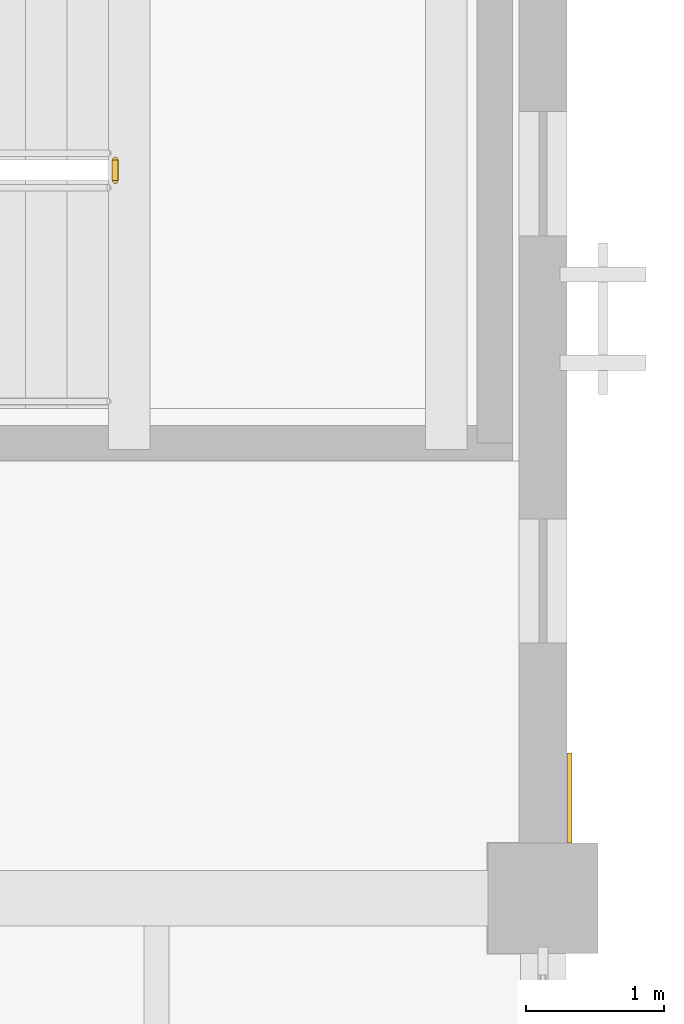
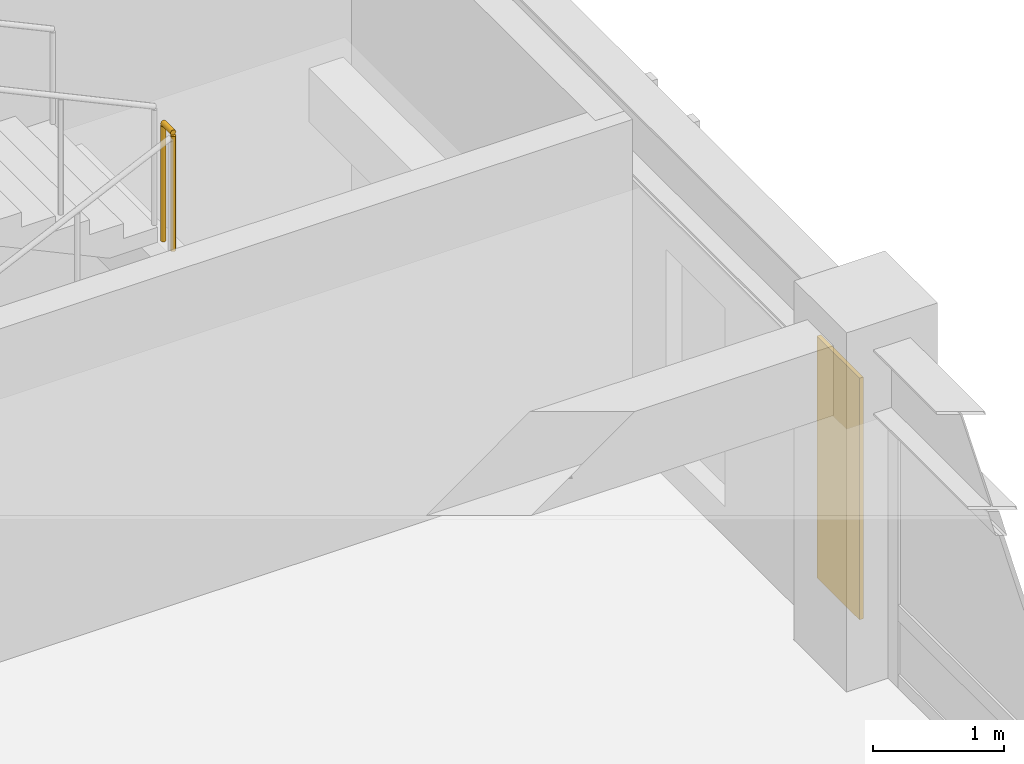
# One storey, part 105 of 111: 1 covering, 1 railing.
"""IFC4 building model written with IfcOpenShell, lengths in metres."""

from ifc_helpers import new_model, si_unit, direction, frame, origin, origin_2d, place, context, subcontext, project, spatial, polyline, circle, outline, extrude, material, layer, layer_set, type_object, element, save


model = new_model("IFC4")

# Units and contexts
model_context = context("Model", 3, precision=1e-05, world=origin(), true_north=direction((0.0, 1.0)))
body_context = subcontext(model_context, "Body", "Model", "MODEL_VIEW")
ifc_project = project(units=[si_unit("LENGTHUNIT", "METRE"), si_unit("AREAUNIT", "SQUARE_METRE"), si_unit("VOLUMEUNIT", "CUBIC_METRE"), si_unit("PLANEANGLEUNIT", "RADIAN"), si_unit("MASSUNIT", "GRAM", prefix="KILO")], contexts=[model_context])

# Site, building, storey
site_placement = place(None, origin())
site = spatial("IfcSite", under=ifc_project, at=site_placement, CompositionType="ELEMENT")
building_placement = place(site_placement, origin())
building = spatial("IfcBuilding", under=site, at=building_placement, Name="Cumbredor Promenade Congress Hotel", CompositionType="ELEMENT")
storey_placement = place(building_placement, frame((0.0, 0.0, 15.1201171875)))
storey = spatial("IfcBuildingStorey", under=building, at=storey_placement, Name="L04", CompositionType="ELEMENT", Elevation=15.1201171875)

# Railing
ifc_material_1 = material(Name="Brushed stainless steel", Category="steel")
railing_type = type_object("IfcRailingType", Name="Interior Void & Stair Guardrail GR-1100", PredefinedType="GUARDRAIL", material=ifc_material_1)
railing_placement = place(storey_placement, frame((64.10009765625, 64.0, 1.679931640625)))
element("IfcRailing", 1, at=railing_placement, inside=storey, type_object=railing_type, Name="L04 ST-07 stair guard 2", PredefinedType="GUARDRAIL", context=body_context, shape_type="SweptSolid", body=[
    extrude(circle(Radius=0.02392578125, at=origin_2d()), frame((0.0, 0.0, 1.09619140625), z_axis=(0.0, 1.0, 0.0), x_axis=(-1.0, 0.0, 0.0)), (0.0, 0.0, 1.0), 0.14990234375),
    extrude(circle(Radius=0.02099609375, at=origin_2d()), origin(), (0.0, 0.0, 1.0), 1.072021484375),
    extrude(circle(Radius=0.02099609375, at=origin_2d()), frame((0.0, 0.14990234375, 0.0)), (0.0, 0.0, 1.0), 1.072021484375),
])

# Covering
ifc_material_2 = material(Name="Volcanic andesite ashlar cladding", Category="masonry")
ifc_layer = layer(ifc_material_2, 0.034912109375, Name="Volcanic andesite ashlar cladding", Category="masonry")
ifc_layer_set = layer_set([ifc_layer], Name="Volcanic andesite ashlar cladding")
covering_type = type_object("IfcCoveringType", Name="Volcanic Andesite Ashlar Rainscreen Cladding 35mm", PredefinedType="CLADDING", material=ifc_layer_set)
covering_placement = place(storey_placement, origin())
element("IfcCovering", 2, at=covering_placement, inside=storey, type_object=covering_type, Name="L04 Facade Stone Cladding Pier 173", PredefinedType="CLADDING", context=body_context, shape_type="SweptSolid", body=[
    extrude(outline(polyline([(67.375, 59.200927734375), (67.375, 59.85107421875), (67.409912109375, 59.85107421875), (67.409912109375, 59.200927734375), (67.375, 59.200927734375)])), origin(), (0.0, 0.0, 1.0), 2.25),
])

save(model, "model.ifc")
